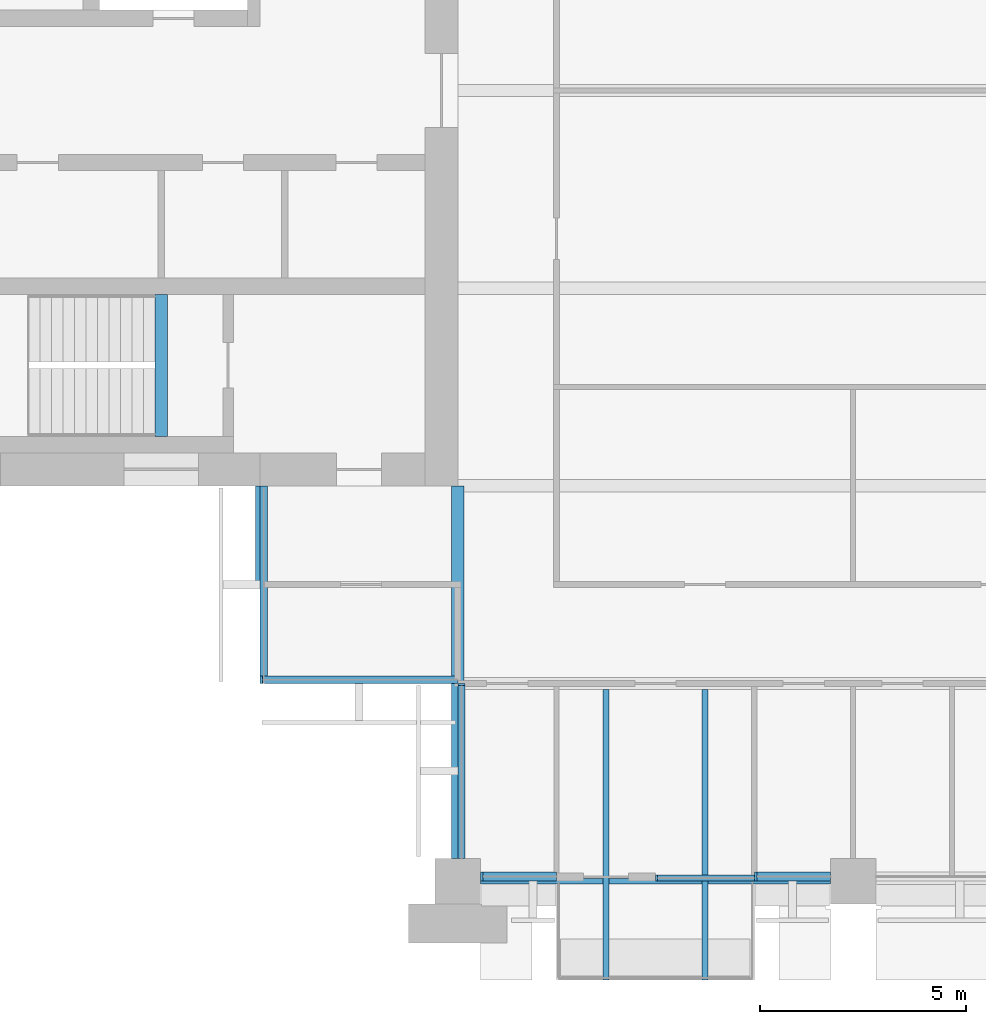
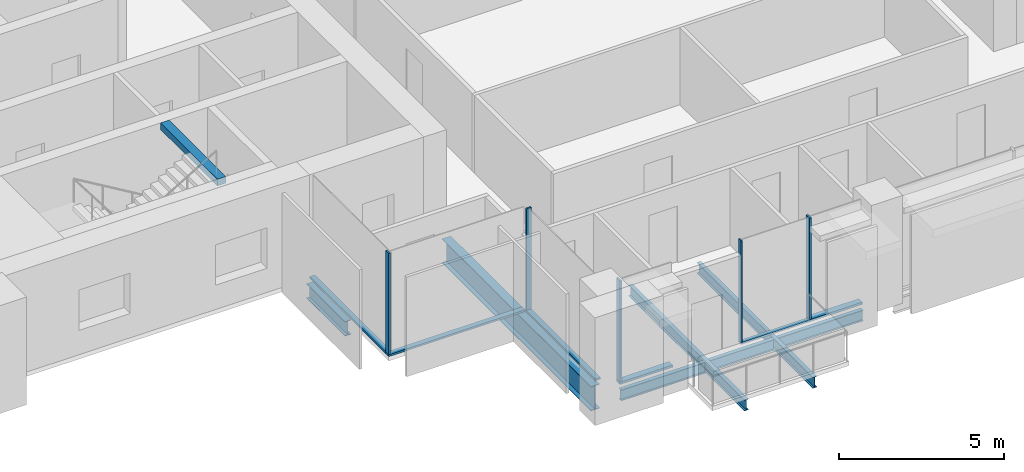
# One storey, part 2 of 14: 11 members, 8 beams, 6 elements without a shape of their own.
"""IFC4 building model written with IfcOpenShell, lengths in metres."""

from ifc_helpers import new_model, si_unit, direction, frame, origin, origin_2d, place, context, subcontext, project, spatial, rectangle, i_section, extrude, material, material_profile, profile_set, type_object, element, aggregate, save


model = new_model("IFC4")

# Units and contexts
model_context = context("Model", 3, precision=1e-05, world=origin(), true_north=direction((0.0, 1.0)))
body_context = subcontext(model_context, "Body", "Model", "MODEL_VIEW")
ifc_project = project(units=[si_unit("LENGTHUNIT", "METRE"), si_unit("AREAUNIT", "SQUARE_METRE"), si_unit("VOLUMEUNIT", "CUBIC_METRE"), si_unit("PLANEANGLEUNIT", "RADIAN"), si_unit("MASSUNIT", "GRAM", prefix="KILO")], contexts=[model_context])

# Site, building, storey
site_placement = place(None, origin())
site = spatial("IfcSite", under=ifc_project, at=site_placement, CompositionType="ELEMENT")
building_placement = place(site_placement, origin())
building = spatial("IfcBuilding", under=site, at=building_placement, Name="Baori Bourse Tower", CompositionType="ELEMENT")
storey_placement = place(building_placement, frame((0.0, 0.0, 257.199951171875)))
storey = spatial("IfcBuildingStorey", under=building, at=storey_placement, Name="L57", CompositionType="ELEMENT", Elevation=257.199951171875)

# Beams
ifc_material_1 = material(Name="Steel A992 Gr 50", Category="steel")
ifc_material_profile_1 = material_profile(ifc_material_1, i_section(OverallWidth=0.140380859375, OverallDepth=0.40380859375, WebThickness=0.007080078125, FlangeThickness=0.01123046875, at=origin_2d()), Name="W16x31")
ifc_profile_set_1 = profile_set([ifc_material_profile_1], Name="Steel A992 Gr 50")
beam_type_1 = type_object("IfcBeamType", Name="Balcony beam W16x31", PredefinedType="BEAM", material=ifc_profile_set_1)
for number, where, z_axis, x_axis, name in (
    (1, (22.800048828125, -2.39990234375, -0.36181640625), (0.0, 1.0, 0.0), (-1.0, 0.0, 0.0), "Balcony beam L57"),
    (2, (25.199951171875, -2.39990234375, -0.36181640625), (0.0, 1.0, 0.0), (-1.0, 0.0, 0.0), "Balcony beam L57"),
):
    element("IfcBeam", number, at=place(storey_placement, frame(where, z_axis=z_axis, x_axis=x_axis)), inside=storey, type_object=beam_type_1, Name=name, PredefinedType="BEAM", context=body_context, shape_type="SweptSolid", body=[
        extrude(i_section(OverallWidth=0.140380859375, OverallDepth=0.40380859375, WebThickness=0.007080078125, FlangeThickness=0.01123046875, at=origin_2d()), origin(), (0.0, 0.0, 1.0), 7.050048828125),
    ])

# Curtain wall, member
ifc_material_2 = material(Name="Pale anodised aluminium", Category="aluminium")
curtain_wall_type_1 = type_object("IfcCurtainWallType", Name="CW2 Curtain wall", PredefinedType="NOTDEFINED", material=ifc_material_2)
curtain_wall_1_placement = place(storey_placement, origin())
curtain_wall_1 = element("IfcCurtainWall", 3, at=curtain_wall_1_placement, inside=storey, type_object=curtain_wall_type_1, Name="Curtain wall CW2 L57 11", PredefinedType="NOTDEFINED")
ifc_material_3 = material(Name="Pale anodised aluminium", Category="aluminium")
ifc_material_profile_2 = material_profile(ifc_material_3, rectangle(XDim=0.179931640625, YDim=0.054931640625, at=origin_2d()), Name="Mullion 55x180")
ifc_profile_set_2 = profile_set([ifc_material_profile_2], Name="Pale anodised aluminium")
member_type_1 = type_object("IfcMemberType", Name="CW2 Curtain wall mullion", PredefinedType="MULLION", material=ifc_profile_set_2)
member_1_placement = place(storey_placement, frame((14.427490234375, 4.889892578125, 0.070068359375), z_axis=(0.0, 0.0, 1.0), x_axis=(0.0, 1.0, 0.0)))
member_1 = element("IfcMember", 4, at=member_1_placement, type_object=member_type_1, Name="Curtain wall CW2 mullion", PredefinedType="MULLION", context=body_context, shape_type="SweptSolid", body=[
    extrude(rectangle(XDim=0.179931640625, YDim=0.054931640625, at=origin_2d()), origin(), (0.0, 0.0, 1.0), 3.77001953125),
])

curtain_wall_2_placement = place(storey_placement, origin())
curtain_wall_2 = element("IfcCurtainWall", 5, at=curtain_wall_2_placement, inside=storey, type_object=curtain_wall_type_1, Name="Curtain wall CW2 L57 12", PredefinedType="NOTDEFINED")
member_2_placement = place(storey_placement, frame((19.2900390625, 4.7724609375, 0.070068359375), z_axis=(0.0, 0.0, 1.0), x_axis=(1.0, 0.0, 0.0)))
member_2 = element("IfcMember", 6, at=member_2_placement, type_object=member_type_1, Name="Curtain wall CW2 mullion", PredefinedType="MULLION", context=body_context, shape_type="SweptSolid", body=[
    extrude(rectangle(XDim=0.179931640625, YDim=0.054931640625, at=origin_2d()), origin(), (0.0, 0.0, 1.0), 3.77001953125),
])

curtain_wall_3_placement = place(storey_placement, origin())
curtain_wall_3 = element("IfcCurtainWall", 7, at=curtain_wall_3_placement, inside=storey, type_object=curtain_wall_type_1, Name="Curtain wall CW2 L57 10", PredefinedType="NOTDEFINED")
ifc_material_4 = material(Name="Pale anodised aluminium", Category="aluminium")
ifc_material_profile_3 = material_profile(ifc_material_4, rectangle(XDim=0.179931640625, YDim=0.070068359375, at=origin_2d()), Name="Transom 70x180")
ifc_profile_set_3 = profile_set([ifc_material_profile_3], Name="Pale anodised aluminium")
member_type_2 = type_object("IfcMemberType", Name="CW2 Curtain wall transom", PredefinedType="USERDEFINED", material=ifc_profile_set_3)
member_3_placement = place(storey_placement, frame((14.489990234375, 9.60009765625, 0.03515625), z_axis=(0.0, -1.0, 0.0), x_axis=(1.0, 0.0, 0.0)))
member_3 = element("IfcMember", 8, at=member_3_placement, type_object=member_type_2, Name="Curtain wall CW2 sill rail", ObjectType="TRANSOM", PredefinedType="USERDEFINED", context=body_context, shape_type="SweptSolid", body=[
    extrude(rectangle(XDim=0.179931640625, YDim=0.070068359375, at=origin_2d()), origin(), (0.0, 0.0, 1.0), 4.800048828125),
])
aggregate(curtain_wall_3, [member_3])

# Member
member_4_placement = place(storey_placement, frame((14.39990234375, 4.889892578125, 0.03515625), z_axis=(1.0, 0.0, 0.0), x_axis=(0.0, 1.0, 0.0)))
member_4 = element("IfcMember", 9, at=member_4_placement, type_object=member_type_2, Name="Curtain wall CW2 sill rail", ObjectType="TRANSOM", PredefinedType="USERDEFINED", context=body_context, shape_type="SweptSolid", body=[
    extrude(rectangle(XDim=0.179931640625, YDim=0.070068359375, at=origin_2d()), origin(), (0.0, 0.0, 1.0), 4.800048828125),
])

aggregate(curtain_wall_1, [member_4, member_1])

member_5_placement = place(storey_placement, frame((19.2900390625, 4.800048828125, 0.03515625), z_axis=(0.0, -1.0, 0.0), x_axis=(1.0, 0.0, 0.0)))
member_5 = element("IfcMember", 10, at=member_5_placement, type_object=member_type_2, Name="Curtain wall CW2 sill rail", ObjectType="TRANSOM", PredefinedType="USERDEFINED", context=body_context, shape_type="SweptSolid", body=[
    extrude(rectangle(XDim=0.179931640625, YDim=0.070068359375, at=origin_2d()), origin(), (0.0, 0.0, 1.0), 4.25),
])

aggregate(curtain_wall_2, [member_5, member_2])

# Curtain wall, member
ifc_material_5 = material(Name="Pale anodised aluminium", Category="aluminium")
curtain_wall_type_2 = type_object("IfcCurtainWallType", Name="CW5 Curtain wall", PredefinedType="NOTDEFINED", material=ifc_material_5)
curtain_wall_4_placement = place(storey_placement, origin())
curtain_wall_4 = element("IfcCurtainWall", 11, at=curtain_wall_4_placement, inside=storey, type_object=curtain_wall_type_2, Name="Curtain wall CW5 L57 13", PredefinedType="NOTDEFINED")
ifc_material_6 = material(Name="Pale anodised aluminium", Category="aluminium")
ifc_material_profile_4 = material_profile(ifc_material_6, rectangle(XDim=0.219970703125, YDim=0.06494140625, at=origin_2d()), Name="Mullion 65x220")
ifc_profile_set_4 = profile_set([ifc_material_profile_4], Name="Pale anodised aluminium")
member_type_3 = type_object("IfcMemberType", Name="CW5 Curtain wall mullion", PredefinedType="MULLION", material=ifc_profile_set_4)
member_6_placement = place(storey_placement, frame((19.782470703125, 0.110107421875, 0.0849609375), z_axis=(0.0, 0.0, 1.0), x_axis=(0.0, 1.0, 0.0)))
member_6 = element("IfcMember", 12, at=member_6_placement, type_object=member_type_3, Name="Curtain wall CW5 mullion", PredefinedType="MULLION", context=body_context, shape_type="SweptSolid", body=[
    extrude(rectangle(XDim=0.219970703125, YDim=0.06494140625, at=origin_2d()), origin(), (0.0, 0.0, 1.0), 3.755126953125),
])

curtain_wall_5_placement = place(storey_placement, origin())
curtain_wall_5 = element("IfcCurtainWall", 13, at=curtain_wall_5_placement, inside=storey, type_object=curtain_wall_type_2, Name="Curtain wall CW5 L57 15", PredefinedType="NOTDEFINED")
member_7_placement = place(storey_placement, frame((26.4326171875, 0.110107421875, 0.0849609375), z_axis=(0.0, 0.0, 1.0), x_axis=(0.0, 1.0, 0.0)))
member_7 = element("IfcMember", 14, at=member_7_placement, type_object=member_type_3, Name="Curtain wall CW5 mullion", PredefinedType="MULLION", context=body_context, shape_type="SweptSolid", body=[
    extrude(rectangle(XDim=0.219970703125, YDim=0.06494140625, at=origin_2d()), origin(), (0.0, 0.0, 1.0), 3.755126953125),
])

# Member
ifc_material_7 = material(Name="Pale anodised aluminium", Category="aluminium")
ifc_material_profile_5 = material_profile(ifc_material_7, rectangle(XDim=0.219970703125, YDim=0.0849609375, at=origin_2d()), Name="Transom 85x220")
ifc_profile_set_5 = profile_set([ifc_material_profile_5], Name="Pale anodised aluminium")
member_type_4 = type_object("IfcMemberType", Name="CW5 Curtain wall transom", PredefinedType="USERDEFINED", material=ifc_profile_set_5)
member_8_placement = place(storey_placement, frame((19.75, 0.110107421875, 0.04248046875), z_axis=(1.0, 0.0, 0.0), x_axis=(0.0, 1.0, 0.0)))
member_8 = element("IfcMember", 15, at=member_8_placement, type_object=member_type_4, Name="Curtain wall CW5 sill rail", ObjectType="TRANSOM", PredefinedType="USERDEFINED", context=body_context, shape_type="SweptSolid", body=[
    extrude(rectangle(XDim=0.219970703125, YDim=0.0849609375, at=origin_2d()), origin(), (0.0, 0.0, 1.0), 1.85009765625),
])

aggregate(curtain_wall_4, [member_8, member_6])

member_9_placement = place(storey_placement, frame((26.39990234375, 0.110107421875, 0.04248046875), z_axis=(1.0, 0.0, 0.0), x_axis=(0.0, 1.0, 0.0)))
member_9 = element("IfcMember", 16, at=member_9_placement, type_object=member_type_4, Name="Curtain wall CW5 sill rail", ObjectType="TRANSOM", PredefinedType="USERDEFINED", context=body_context, shape_type="SweptSolid", body=[
    extrude(rectangle(XDim=0.219970703125, YDim=0.0849609375, at=origin_2d()), origin(), (0.0, 0.0, 1.0), 1.85009765625),
])

aggregate(curtain_wall_5, [member_9, member_7])

# Curtain wall, members
ifc_material_8 = material(Name="Pale anodised aluminium", Category="aluminium")
curtain_wall_type_3 = type_object("IfcCurtainWallType", Name="CW6 Curtain wall", PredefinedType="NOTDEFINED", material=ifc_material_8)
curtain_wall_6_placement = place(storey_placement, origin())
curtain_wall_6 = element("IfcCurtainWall", 17, at=curtain_wall_6_placement, inside=storey, type_object=curtain_wall_type_3, Name="Curtain wall CW6 L57 14", PredefinedType="NOTDEFINED")
ifc_material_9 = material(Name="Pale anodised aluminium", Category="aluminium")
ifc_material_profile_6 = material_profile(ifc_material_9, rectangle(XDim=0.14990234375, YDim=0.050048828125, at=origin_2d()), Name="Mullion 50x150")
ifc_profile_set_6 = profile_set([ifc_material_profile_6], Name="Pale anodised aluminium")
member_type_5 = type_object("IfcMemberType", Name="CW6 Curtain wall mullion", PredefinedType="MULLION", material=ifc_profile_set_6)
member_10_placement = place(storey_placement, frame((24.02490234375, 0.074951171875, 0.06494140625), z_axis=(0.0, 0.0, 1.0), x_axis=(0.0, 1.0, 0.0)))
member_10 = element("IfcMember", 18, at=member_10_placement, type_object=member_type_5, Name="Curtain wall CW6 mullion", PredefinedType="MULLION", context=body_context, shape_type="SweptSolid", body=[
    extrude(rectangle(XDim=0.14990234375, YDim=0.050048828125, at=origin_2d()), origin(), (0.0, 0.0, 1.0), 3.775146484375),
])
ifc_material_10 = material(Name="Pale anodised aluminium", Category="aluminium")
ifc_material_profile_7 = material_profile(ifc_material_10, rectangle(XDim=0.14990234375, YDim=0.06494140625, at=origin_2d()), Name="Transom 65x150")
ifc_profile_set_7 = profile_set([ifc_material_profile_7], Name="Pale anodised aluminium")
member_type_6 = type_object("IfcMemberType", Name="CW6 Curtain wall transom", PredefinedType="USERDEFINED", material=ifc_profile_set_7)
member_11_placement = place(storey_placement, frame((24.0, 0.074951171875, 0.032470703125), z_axis=(1.0, 0.0, 0.0), x_axis=(0.0, 1.0, 0.0)))
member_11 = element("IfcMember", 19, at=member_11_placement, type_object=member_type_6, Name="Curtain wall CW6 sill rail", ObjectType="TRANSOM", PredefinedType="USERDEFINED", context=body_context, shape_type="SweptSolid", body=[
    extrude(rectangle(XDim=0.14990234375, YDim=0.06494140625, at=origin_2d()), origin(), (0.0, 0.0, 1.0), 2.39990234375),
])
aggregate(curtain_wall_6, [member_11, member_10])

# Beams
ifc_material_11 = material(Name="Steel A992 Gr 50", Category="steel")
ifc_material_profile_8 = material_profile(ifc_material_11, i_section(OverallWidth=0.21240234375, OverallDepth=0.54345703125, WebThickness=0.01318359375, FlangeThickness=0.021240234375, at=origin_2d()), Name="W21x83")
ifc_profile_set_8 = profile_set([ifc_material_profile_8], Name="Steel A992 Gr 50")
beam_type_2 = type_object("IfcBeamType", Name="Core bracket W21x83", PredefinedType="BEAM", material=ifc_profile_set_8)
beam_1_placement = place(storey_placement, frame((14.39990234375, 7.270263671875, -0.431640625), z_axis=(0.0, 1.0, 0.0), x_axis=(-1.0, 0.0, 0.0)))
element("IfcBeam", 20, at=beam_1_placement, inside=storey, type_object=beam_type_2, Name="Core bracket L57", PredefinedType="BEAM", context=body_context, shape_type="SweptSolid", body=[
    extrude(i_section(OverallWidth=0.21240234375, OverallDepth=0.54345703125, WebThickness=0.01318359375, FlangeThickness=0.021240234375, at=origin_2d()), origin(), (0.0, 0.0, 1.0), 2.329833984375),
])
ifc_material_12 = material(Name="Steel A992 Gr 50", Category="steel")
ifc_material_profile_9 = material_profile(ifc_material_12, i_section(OverallWidth=0.140380859375, OverallDepth=0.40380859375, WebThickness=0.007080078125, FlangeThickness=0.01123046875, at=origin_2d()), Name="W16x31")
ifc_profile_set_9 = profile_set([ifc_material_profile_9], Name="Steel A992 Gr 50")
beam_type_3 = type_object("IfcBeamType", Name="Edge beam W16x31", PredefinedType="BEAM", material=ifc_profile_set_9)
beam_2_placement = place(storey_placement, frame((19.75, 0.0, -0.36181640625), z_axis=(1.0, 0.0, 0.0), x_axis=(0.0, 1.0, 0.0)))
element("IfcBeam", 21, at=beam_2_placement, inside=storey, type_object=beam_type_3, Name="Edge beam L57", PredefinedType="BEAM", context=body_context, shape_type="SweptSolid", body=[
    extrude(i_section(OverallWidth=0.140380859375, OverallDepth=0.40380859375, WebThickness=0.007080078125, FlangeThickness=0.01123046875, at=origin_2d()), origin(), (0.0, 0.0, 1.0), 2.979736328125),
])
beam_3_placement = place(storey_placement, frame((22.8701171875, 0.0, -0.36181640625), z_axis=(1.0, 0.0, 0.0), x_axis=(0.0, 1.0, 0.0)))
element("IfcBeam", 22, at=beam_3_placement, inside=storey, type_object=beam_type_3, Name="Edge beam L57", PredefinedType="BEAM", context=body_context, shape_type="SweptSolid", body=[
    extrude(i_section(OverallWidth=0.140380859375, OverallDepth=0.40380859375, WebThickness=0.007080078125, FlangeThickness=0.01123046875, at=origin_2d()), origin(), (0.0, 0.0, 1.0), 2.259765625),
])
beam_4_placement = place(storey_placement, frame((25.270263671875, 0.0, -0.36181640625), z_axis=(1.0, 0.0, 0.0), x_axis=(0.0, 1.0, 0.0)))
element("IfcBeam", 23, at=beam_4_placement, inside=storey, type_object=beam_type_3, Name="Edge beam L57", PredefinedType="BEAM", context=body_context, shape_type="SweptSolid", body=[
    extrude(i_section(OverallWidth=0.140380859375, OverallDepth=0.40380859375, WebThickness=0.007080078125, FlangeThickness=0.01123046875, at=origin_2d()), origin(), (0.0, 0.0, 1.0), 2.979736328125),
])
ifc_material_13 = material(Name="Steel A992 Gr 50", Category="steel")
ifc_material_profile_10 = material_profile(ifc_material_13, i_section(OverallWidth=0.3046875, OverallDepth=0.904296875, WebThickness=0.01513671875, FlangeThickness=0.02001953125, at=origin_2d()), Name="W36x135")
ifc_profile_set_10 = profile_set([ifc_material_profile_10], Name="Steel A992 Gr 50")
beam_type_4 = type_object("IfcBeamType", Name="Girder W36x135", PredefinedType="BEAM", material=ifc_profile_set_10)
beam_5_placement = place(storey_placement, frame((19.199951171875, 0.550048828125, -0.612060546875), z_axis=(0.0, 1.0, 0.0), x_axis=(-1.0, 0.0, 0.0)))
element("IfcBeam", 24, at=beam_5_placement, inside=storey, type_object=beam_type_4, Name="Girder L57", PredefinedType="BEAM", context=body_context, shape_type="SweptSolid", body=[
    extrude(i_section(OverallWidth=0.3046875, OverallDepth=0.904296875, WebThickness=0.01513671875, FlangeThickness=0.02001953125, at=origin_2d()), origin(), (0.0, 0.0, 1.0), 9.050048828125),
])
ifc_material_14 = material(Name="Concrete f'c 50 MPa", Category="concrete")
ifc_material_profile_11 = material_profile(ifc_material_14, rectangle(XDim=0.300048828125, YDim=0.25, at=origin_2d()), Name="RC 300x250")
ifc_profile_set_11 = profile_set([ifc_material_profile_11], Name="Concrete f'c 50 MPa")
beam_type_5 = type_object("IfcBeamType", Name="Stair nib beam RC 300x250", PredefinedType="BEAM", material=ifc_profile_set_11)
beam_6_placement = place(storey_placement, frame((12.0, 10.800048828125, 3.715087890625), z_axis=(0.0, 1.0, 0.0), x_axis=(-1.0, 0.0, 0.0)))
element("IfcBeam", 25, at=beam_6_placement, inside=storey, type_object=beam_type_5, Name="Stair WA nib beam L58", PredefinedType="BEAM", context=body_context, shape_type="SweptSolid", body=[
    extrude(rectangle(XDim=0.300048828125, YDim=0.25, at=origin_2d()), origin(), (0.0, 0.0, 1.0), 3.449951171875),
])

save(model, "model.ifc")
